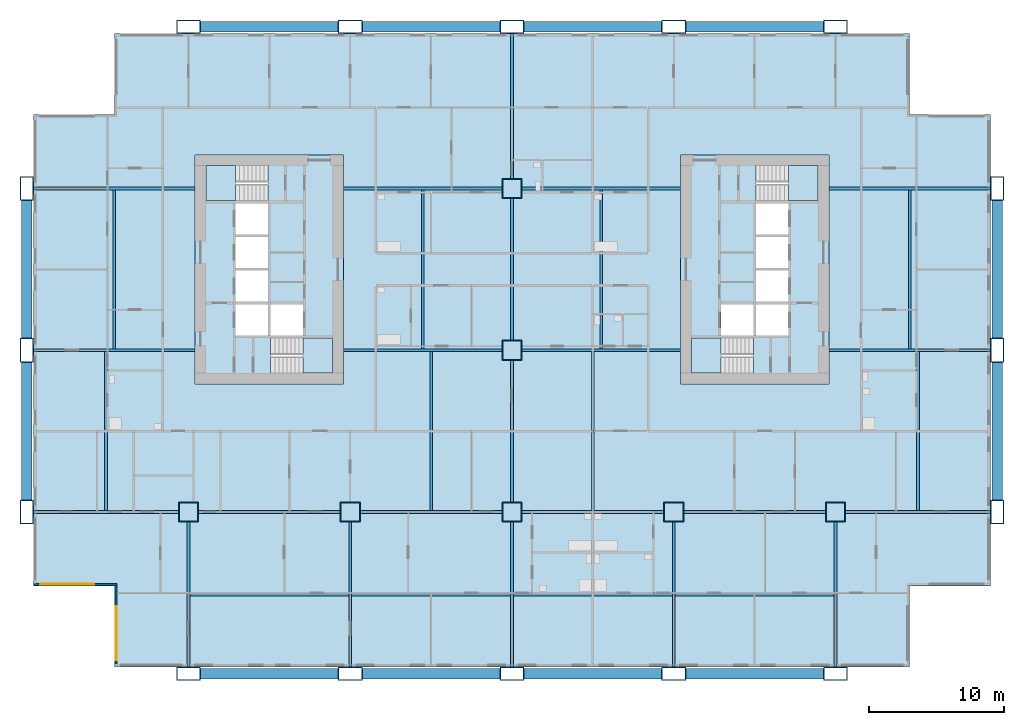
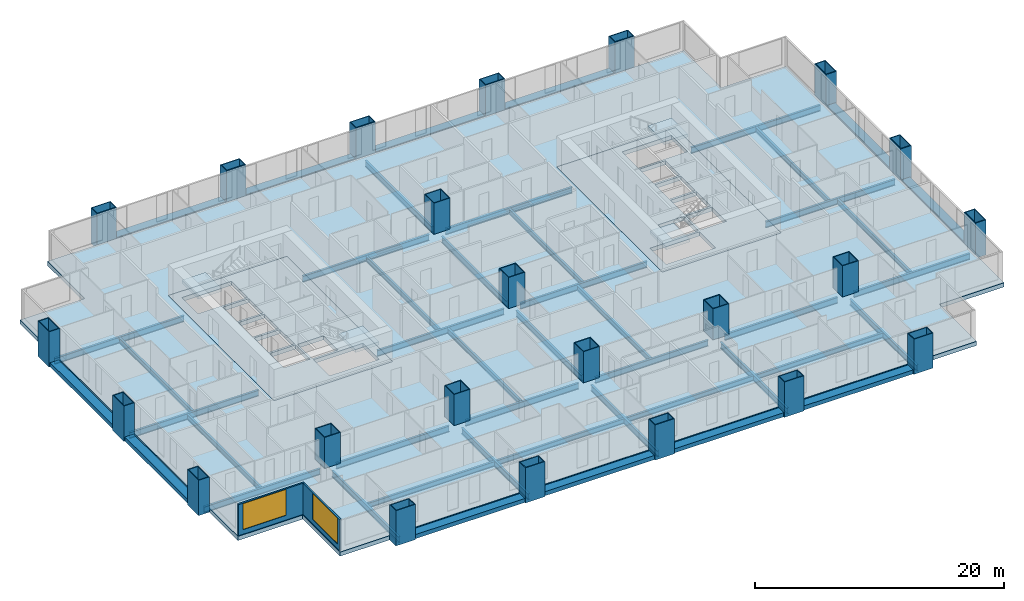
# One storey, part 1 of 14: 46 beams, 23 columns, 7 slabs, 2 walls, 2 windows, 2 openings, 4 elements without a shape of their own.
"""IFC4 building model written with IfcOpenShell, lengths in metres."""

from ifc_helpers import new_model, si_unit, direction, frame, frame_2d, origin, origin_2d, place, context, subcontext, project, spatial, polyline, rectangle, hollow_rectangle, i_section, outline, extrude, material, layer, layer_set, material_profile, profile_set, type_object, element, fill, aggregate, save


model = new_model("IFC4")

# Units and contexts
model_context = context("Model", 3, precision=1e-05, world=origin(), true_north=direction((0.0, 1.0)))
body_context = subcontext(model_context, "Body", "Model", "MODEL_VIEW")
ifc_project = project(units=[si_unit("LENGTHUNIT", "METRE"), si_unit("AREAUNIT", "SQUARE_METRE"), si_unit("VOLUMEUNIT", "CUBIC_METRE"), si_unit("PLANEANGLEUNIT", "RADIAN"), si_unit("MASSUNIT", "GRAM", prefix="KILO")], contexts=[model_context])

# Site, building, storey
site_placement = place(None, origin())
site = spatial("IfcSite", under=ifc_project, at=site_placement, CompositionType="ELEMENT")
building_placement = place(site_placement, origin())
building = spatial("IfcBuilding", under=site, at=building_placement, Name="Kitamizu Gate Tower and Museum", CompositionType="ELEMENT")
storey_placement = place(building_placement, frame((0.0, 0.0, 54.14990234375)))
storey = spatial("IfcBuildingStorey", under=building, at=storey_placement, Name="L12", CompositionType="ELEMENT", Elevation=54.14990234375)

# Columns
ifc_material_1 = material(Name="Steel SM490A bronze coated", Category="steel")
ifc_material_profile_1 = material_profile(ifc_material_1, hollow_rectangle(XDim=1.800048828125, YDim=1.0, WallThickness=0.070068359375, at=origin_2d()), Name="BOX 1800x1000x70")
ifc_profile_set_1 = profile_set([ifc_material_profile_1], Name="Steel SM490A bronze coated")
column_type_1 = type_object("IfcColumnType", Name="Exoskeleton column XC2 BOX 1800x1000x70", PredefinedType="COLUMN", material=ifc_profile_set_1)
for number, where, z_axis, x_axis, name in (
    (1, (0.0, 12.0, -0.39990234375), (0.0, 0.0, 1.0), (0.0, 1.0, 0.0), "Column XC2 1B L12"),
    (2, (0.0, 24.0, -0.39990234375), (0.0, 0.0, 1.0), (0.0, 1.0, 0.0), "Column XC2 1C L12"),
    (3, (0.0, 36.0, -0.39990234375), (0.0, 0.0, 1.0), (0.0, 1.0, 0.0), "Column XC2 1D L12"),
    (4, (12.0, 0.0, -0.39990234375), (0.0, 0.0, 1.0), (1.0, 0.0, 0.0), "Column XC2 2A L12"),
    (5, (12.0, 48.0, -0.39990234375), (0.0, 0.0, 1.0), (1.0, 0.0, 0.0), "Column XC2 2E L12"),
    (6, (24.0, 0.0, -0.39990234375), (0.0, 0.0, 1.0), (1.0, 0.0, 0.0), "Column XC2 3A L12"),
    (7, (24.0, 48.0, -0.39990234375), (0.0, 0.0, 1.0), (1.0, 0.0, 0.0), "Column XC2 3E L12"),
    (8, (36.0, 0.0, -0.39990234375), (0.0, 0.0, 1.0), (1.0, 0.0, 0.0), "Column XC2 4A L12"),
    (9, (36.0, 48.0, -0.39990234375), (0.0, 0.0, 1.0), (1.0, 0.0, 0.0), "Column XC2 4E L12"),
    (10, (48.0, 0.0, -0.39990234375), (0.0, 0.0, 1.0), (1.0, 0.0, 0.0), "Column XC2 5A L12"),
    (11, (48.0, 48.0, -0.39990234375), (0.0, 0.0, 1.0), (1.0, 0.0, 0.0), "Column XC2 5E L12"),
    (12, (60.0, 0.0, -0.39990234375), (0.0, 0.0, 1.0), (1.0, 0.0, 0.0), "Column XC2 6A L12"),
    (13, (60.0, 48.0, -0.39990234375), (0.0, 0.0, 1.0), (1.0, 0.0, 0.0), "Column XC2 6E L12"),
    (14, (72.0, 12.0, -0.39990234375), (0.0, 0.0, 1.0), (0.0, 1.0, 0.0), "Column XC2 7B L12"),
    (15, (72.0, 24.0, -0.39990234375), (0.0, 0.0, 1.0), (0.0, 1.0, 0.0), "Column XC2 7C L12"),
    (16, (72.0, 36.0, -0.39990234375), (0.0, 0.0, 1.0), (0.0, 1.0, 0.0), "Column XC2 7D L12"),
):
    element("IfcColumn", number, at=place(storey_placement, frame(where, z_axis=z_axis, x_axis=x_axis)), inside=storey, type_object=column_type_1, Name=name, PredefinedType="COLUMN", context=body_context, shape_type="SweptSolid", body=[
        extrude(hollow_rectangle(XDim=1.800048828125, YDim=1.0, WallThickness=0.070068359375, at=origin_2d()), origin(), (0.0, 0.0, 1.0), 3.449951171875),
    ])
ifc_material_2 = material(Name="Steel SM490A", Category="steel")
ifc_material_profile_2 = material_profile(ifc_material_2, hollow_rectangle(XDim=1.5, YDim=1.5, WallThickness=0.06494140625, at=origin_2d()), Name="BOX 1500x1500x65")
ifc_profile_set_2 = profile_set([ifc_material_profile_2], Name="Steel SM490A")
column_type_2 = type_object("IfcColumnType", Name="Interior column IC2 BOX 1500x1500x65", PredefinedType="COLUMN", material=ifc_profile_set_2)
for number, where, z_axis, x_axis, name in (
    (17, (12.0, 12.0, 0.0), (0.0, 0.0, 1.0), (1.0, 0.0, 0.0), "Column IC2 2B L12"),
    (18, (24.0, 12.0, 0.0), (0.0, 0.0, 1.0), (1.0, 0.0, 0.0), "Column IC2 3B L12"),
    (19, (36.0, 12.0, 0.0), (0.0, 0.0, 1.0), (1.0, 0.0, 0.0), "Column IC2 4B L12"),
    (20, (36.0, 24.0, 0.0), (0.0, 0.0, 1.0), (1.0, 0.0, 0.0), "Column IC2 4C L12"),
    (21, (36.0, 36.0, 0.0), (0.0, 0.0, 1.0), (1.0, 0.0, 0.0), "Column IC2 4D L12"),
    (22, (48.0, 12.0, 0.0), (0.0, 0.0, 1.0), (1.0, 0.0, 0.0), "Column IC2 5B L12"),
    (23, (60.0, 12.0, 0.0), (0.0, 0.0, 1.0), (1.0, 0.0, 0.0), "Column IC2 6B L12"),
):
    element("IfcColumn", number, at=place(storey_placement, frame(where, z_axis=z_axis, x_axis=x_axis)), inside=storey, type_object=column_type_2, Name=name, PredefinedType="COLUMN", context=body_context, shape_type="SweptSolid", body=[
        extrude(hollow_rectangle(XDim=1.5, YDim=1.5, WallThickness=0.06494140625, at=origin_2d()), origin(), (0.0, 0.0, 1.0), 3.050048828125),
    ])

# Beams
ifc_material_3 = material(Name="Steel SM490A bronze coated", Category="steel")
ifc_material_profile_3 = material_profile(ifc_material_3, hollow_rectangle(XDim=0.800048828125, YDim=0.39990234375, WallThickness=0.0400390625, at=origin_2d()), Name="BOX 800x400x40")
ifc_profile_set_3 = profile_set([ifc_material_profile_3], Name="Steel SM490A bronze coated")
beam_type_1 = type_object("IfcBeamType", Name="Exoskeleton spandrel beam SB1 BOX 800x400x40", PredefinedType="SPANDREL", material=ifc_profile_set_3)
for number, where, z_axis, x_axis, name in (
    (24, (12.89990234375, 0.0, -0.199951171875), (1.0, 0.0, 0.0), (0.0, 1.0, 0.0), "Exoskeleton spandrel beam south 12 L12"),
    (25, (24.89990234375, 0.0, -0.199951171875), (1.0, 0.0, 0.0), (0.0, 1.0, 0.0), "Exoskeleton spandrel beam south 24 L12"),
    (26, (36.89990234375, 0.0, -0.199951171875), (1.0, 0.0, 0.0), (0.0, 1.0, 0.0), "Exoskeleton spandrel beam south 36 L12"),
    (27, (48.89990234375, 0.0, -0.199951171875), (1.0, 0.0, 0.0), (0.0, 1.0, 0.0), "Exoskeleton spandrel beam south 48 L12"),
    (28, (12.89990234375, 48.0, -0.199951171875), (1.0, 0.0, 0.0), (0.0, 1.0, 0.0), "Exoskeleton spandrel beam north 12 L12"),
    (29, (24.89990234375, 48.0, -0.199951171875), (1.0, 0.0, 0.0), (0.0, 1.0, 0.0), "Exoskeleton spandrel beam north 24 L12"),
    (30, (36.89990234375, 48.0, -0.199951171875), (1.0, 0.0, 0.0), (0.0, 1.0, 0.0), "Exoskeleton spandrel beam north 36 L12"),
    (31, (48.89990234375, 48.0, -0.199951171875), (1.0, 0.0, 0.0), (0.0, 1.0, 0.0), "Exoskeleton spandrel beam north 48 L12"),
    (32, (0.0, 12.89990234375, -0.199951171875), (0.0, 1.0, 0.0), (-1.0, 0.0, 0.0), "Exoskeleton spandrel beam west 12 L12"),
    (33, (0.0, 24.89990234375, -0.199951171875), (0.0, 1.0, 0.0), (-1.0, 0.0, 0.0), "Exoskeleton spandrel beam west 24 L12"),
    (34, (72.0, 12.89990234375, -0.199951171875), (0.0, 1.0, 0.0), (-1.0, 0.0, 0.0), "Exoskeleton spandrel beam east 12 L12"),
    (35, (72.0, 24.89990234375, -0.199951171875), (0.0, 1.0, 0.0), (-1.0, 0.0, 0.0), "Exoskeleton spandrel beam east 24 L12"),
):
    element("IfcBeam", number, at=place(storey_placement, frame(where, z_axis=z_axis, x_axis=x_axis)), inside=storey, type_object=beam_type_1, Name=name, PredefinedType="SPANDREL", context=body_context, shape_type="SweptSolid", body=[
        extrude(hollow_rectangle(XDim=0.800048828125, YDim=0.39990234375, WallThickness=0.0400390625, at=origin_2d()), origin(), (0.0, 0.0, 1.0), 10.2001953125),
    ])
ifc_material_4 = material(Name="Steel SM490A", Category="steel")
ifc_material_profile_4 = material_profile(ifc_material_4, i_section(OverallWidth=0.199951171875, OverallDepth=0.5, WebThickness=0.010009765625, FlangeThickness=0.01611328125, FilletRadius=0.02001953125, at=origin_2d()), Name="H-500x200x10x16")
ifc_profile_set_4 = profile_set([ifc_material_profile_4], Name="Steel SM490A")
beam_type_2 = type_object("IfcBeamType", Name="Floor beam FB1 H 500x200x10x16", PredefinedType="BEAM", material=ifc_profile_set_4)
for number, where, z_axis, x_axis, name in (
    (36, (12.10009765625, 5.875, -0.64990234375), (1.0, 0.0, 0.0), (0.0, 1.0, 0.0), "Floor beam FB1 L12-1"),
    (37, (24.10009765625, 5.875, -0.64990234375), (1.0, 0.0, 0.0), (0.0, 1.0, 0.0), "Floor beam FB1 L12-2"),
    (38, (36.10009765625, 5.875, -0.64990234375), (1.0, 0.0, 0.0), (0.0, 1.0, 0.0), "Floor beam FB1 L12-3"),
    (39, (48.10009765625, 5.875, -0.64990234375), (1.0, 0.0, 0.0), (0.0, 1.0, 0.0), "Floor beam FB1 L12-4"),
    (40, (5.875, 12.10009765625, -0.64990234375), (0.0, 1.0, 0.0), (-1.0, 0.0, 0.0), "Floor beam FB1 L12-5"),
    (41, (30.0, 12.10009765625, -0.64990234375), (0.0, 1.0, 0.0), (-1.0, 0.0, 0.0), "Floor beam FB1 L12-6"),
    (42, (42.0, 12.10009765625, -0.64990234375), (0.0, 1.0, 0.0), (-1.0, 0.0, 0.0), "Floor beam FB1 L12-7"),
    (43, (66.125, 12.10009765625, -0.64990234375), (0.0, 1.0, 0.0), (-1.0, 0.0, 0.0), "Floor beam FB1 L12-8"),
    (44, (6.5, 24.10009765625, -0.64990234375), (0.0, 1.0, 0.0), (-1.0, 0.0, 0.0), "Floor beam FB1 L12-9"),
    (45, (29.375, 24.10009765625, -0.64990234375), (0.0, 1.0, 0.0), (-1.0, 0.0, 0.0), "Floor beam FB1 L12-10"),
    (46, (42.625, 24.10009765625, -0.64990234375), (0.0, 1.0, 0.0), (-1.0, 0.0, 0.0), "Floor beam FB1 L12-11"),
    (47, (65.5, 24.10009765625, -0.64990234375), (0.0, 1.0, 0.0), (-1.0, 0.0, 0.0), "Floor beam FB1 L12-12"),
):
    element("IfcBeam", number, at=place(storey_placement, frame(where, z_axis=z_axis, x_axis=x_axis)), inside=storey, type_object=beam_type_2, Name=name, PredefinedType="BEAM", context=body_context, shape_type="SweptSolid", body=[
        extrude(i_section(OverallWidth=0.199951171875, OverallDepth=0.5, WebThickness=0.010009765625, FlangeThickness=0.01611328125, FilletRadius=0.02001953125, at=origin_2d()), origin(), (0.0, 0.0, 1.0), 11.7998046875),
    ])
ifc_material_5 = material(Name="Steel SM490A", Category="steel")
ifc_material_profile_5 = material_profile(ifc_material_5, i_section(OverallWidth=0.199951171875, OverallDepth=0.60009765625, WebThickness=0.010986328125, FlangeThickness=0.01708984375, FilletRadius=0.02197265625, at=origin_2d()), Name="H-600x200x11x17")
ifc_profile_set_5 = profile_set([ifc_material_profile_5], Name="Steel SM490A")
beam_type_3 = type_object("IfcBeamType", Name="Floor girder FG1 H 600x200x11x17", PredefinedType="BEAM", material=ifc_profile_set_5)
for number, where, z_axis, x_axis, name in (
    (48, (12.0, 0.5, -0.699951171875), (0.0, 1.0, 0.0), (-1.0, 0.0, 0.0), "Floor girder FG1 x12 L12"),
    (49, (24.0, 0.5, -0.699951171875), (0.0, 1.0, 0.0), (-1.0, 0.0, 0.0), "Floor girder FG1 x24 L12"),
    (50, (36.0, 0.5, -0.699951171875), (0.0, 1.0, 0.0), (-1.0, 0.0, 0.0), "Floor girder FG1 x36 L12"),
):
    element("IfcBeam", number, at=place(storey_placement, frame(where, z_axis=z_axis, x_axis=x_axis)), inside=storey, type_object=beam_type_3, Name=name, PredefinedType="BEAM", context=body_context, shape_type="SweptSolid", body=[
        extrude(i_section(OverallWidth=0.199951171875, OverallDepth=0.60009765625, WebThickness=0.010986328125, FlangeThickness=0.01708984375, FilletRadius=0.02197265625, at=origin_2d()), origin(), (0.0, 0.0, 1.0), 10.75),
    ])
for number, where, z_axis, x_axis, name in (
    (51, (36.0, 12.75, -0.699951171875), (0.0, 1.0, 0.0), (-1.0, 0.0, 0.0), "Floor girder FG1 x36 L12"),
    (52, (36.0, 24.75, -0.699951171875), (0.0, 1.0, 0.0), (-1.0, 0.0, 0.0), "Floor girder FG1 x36 L12"),
):
    element("IfcBeam", number, at=place(storey_placement, frame(where, z_axis=z_axis, x_axis=x_axis)), inside=storey, type_object=beam_type_3, Name=name, PredefinedType="BEAM", context=body_context, shape_type="SweptSolid", body=[
        extrude(i_section(OverallWidth=0.199951171875, OverallDepth=0.60009765625, WebThickness=0.010986328125, FlangeThickness=0.01708984375, FilletRadius=0.02197265625, at=origin_2d()), origin(), (0.0, 0.0, 1.0), 10.5),
    ])
for number, where, z_axis, x_axis, name in (
    (53, (36.0, 36.75, -0.699951171875), (0.0, 1.0, 0.0), (-1.0, 0.0, 0.0), "Floor girder FG1 x36 L12"),
    (54, (48.0, 0.5, -0.699951171875), (0.0, 1.0, 0.0), (-1.0, 0.0, 0.0), "Floor girder FG1 x48 L12"),
    (55, (60.0, 0.5, -0.699951171875), (0.0, 1.0, 0.0), (-1.0, 0.0, 0.0), "Floor girder FG1 x60 L12"),
    (56, (0.5, 12.0, -0.699951171875), (1.0, 0.0, 0.0), (0.0, 1.0, 0.0), "Floor girder FG1 y12 L12"),
):
    element("IfcBeam", number, at=place(storey_placement, frame(where, z_axis=z_axis, x_axis=x_axis)), inside=storey, type_object=beam_type_3, Name=name, PredefinedType="BEAM", context=body_context, shape_type="SweptSolid", body=[
        extrude(i_section(OverallWidth=0.199951171875, OverallDepth=0.60009765625, WebThickness=0.010986328125, FlangeThickness=0.01708984375, FilletRadius=0.02197265625, at=origin_2d()), origin(), (0.0, 0.0, 1.0), 10.75),
    ])
for number, where, z_axis, x_axis, name in (
    (57, (12.75, 12.0, -0.699951171875), (1.0, 0.0, 0.0), (0.0, 1.0, 0.0), "Floor girder FG1 y12 L12"),
    (58, (24.75, 12.0, -0.699951171875), (1.0, 0.0, 0.0), (0.0, 1.0, 0.0), "Floor girder FG1 y12 L12"),
    (59, (36.75, 12.0, -0.699951171875), (1.0, 0.0, 0.0), (0.0, 1.0, 0.0), "Floor girder FG1 y12 L12"),
    (60, (48.75, 12.0, -0.699951171875), (1.0, 0.0, 0.0), (0.0, 1.0, 0.0), "Floor girder FG1 y12 L12"),
):
    element("IfcBeam", number, at=place(storey_placement, frame(where, z_axis=z_axis, x_axis=x_axis)), inside=storey, type_object=beam_type_3, Name=name, PredefinedType="BEAM", context=body_context, shape_type="SweptSolid", body=[
        extrude(i_section(OverallWidth=0.199951171875, OverallDepth=0.60009765625, WebThickness=0.010986328125, FlangeThickness=0.01708984375, FilletRadius=0.02197265625, at=origin_2d()), origin(), (0.0, 0.0, 1.0), 10.5),
    ])
beam_1_placement = place(storey_placement, frame((60.75, 12.0, -0.699951171875), z_axis=(1.0, 0.0, 0.0), x_axis=(0.0, 1.0, 0.0)))
element("IfcBeam", 61, at=beam_1_placement, inside=storey, type_object=beam_type_3, Name="Floor girder FG1 y12 L12", PredefinedType="BEAM", context=body_context, shape_type="SweptSolid", body=[
    extrude(i_section(OverallWidth=0.199951171875, OverallDepth=0.60009765625, WebThickness=0.010986328125, FlangeThickness=0.01708984375, FilletRadius=0.02197265625, at=origin_2d()), origin(), (0.0, 0.0, 1.0), 10.75),
])
beam_2_placement = place(storey_placement, frame((0.5, 24.0, -0.699951171875), z_axis=(1.0, 0.0, 0.0), x_axis=(0.0, 1.0, 0.0)))
element("IfcBeam", 62, at=beam_2_placement, inside=storey, type_object=beam_type_3, Name="Floor girder FG1 y24 L12", PredefinedType="BEAM", context=body_context, shape_type="SweptSolid", body=[
    extrude(i_section(OverallWidth=0.199951171875, OverallDepth=0.60009765625, WebThickness=0.010986328125, FlangeThickness=0.01708984375, FilletRadius=0.02197265625, at=origin_2d()), origin(), (0.0, 0.0, 1.0), 12.0),
])
for number, where, z_axis, x_axis, name in (
    (63, (23.5, 24.0, -0.699951171875), (1.0, 0.0, 0.0), (0.0, 1.0, 0.0), "Floor girder FG1 y24 L12"),
    (64, (36.75, 24.0, -0.699951171875), (1.0, 0.0, 0.0), (0.0, 1.0, 0.0), "Floor girder FG1 y24 L12"),
):
    element("IfcBeam", number, at=place(storey_placement, frame(where, z_axis=z_axis, x_axis=x_axis)), inside=storey, type_object=beam_type_3, Name=name, PredefinedType="BEAM", context=body_context, shape_type="SweptSolid", body=[
        extrude(i_section(OverallWidth=0.199951171875, OverallDepth=0.60009765625, WebThickness=0.010986328125, FlangeThickness=0.01708984375, FilletRadius=0.02197265625, at=origin_2d()), origin(), (0.0, 0.0, 1.0), 11.75),
    ])
for number, where, z_axis, x_axis, name in (
    (65, (59.5, 24.0, -0.699951171875), (1.0, 0.0, 0.0), (0.0, 1.0, 0.0), "Floor girder FG1 y24 L12"),
    (66, (0.5, 36.0, -0.699951171875), (1.0, 0.0, 0.0), (0.0, 1.0, 0.0), "Floor girder FG1 y36 L12"),
):
    element("IfcBeam", number, at=place(storey_placement, frame(where, z_axis=z_axis, x_axis=x_axis)), inside=storey, type_object=beam_type_3, Name=name, PredefinedType="BEAM", context=body_context, shape_type="SweptSolid", body=[
        extrude(i_section(OverallWidth=0.199951171875, OverallDepth=0.60009765625, WebThickness=0.010986328125, FlangeThickness=0.01708984375, FilletRadius=0.02197265625, at=origin_2d()), origin(), (0.0, 0.0, 1.0), 12.0),
    ])
for number, where, z_axis, x_axis, name in (
    (67, (23.5, 36.0, -0.699951171875), (1.0, 0.0, 0.0), (0.0, 1.0, 0.0), "Floor girder FG1 y36 L12"),
    (68, (36.75, 36.0, -0.699951171875), (1.0, 0.0, 0.0), (0.0, 1.0, 0.0), "Floor girder FG1 y36 L12"),
):
    element("IfcBeam", number, at=place(storey_placement, frame(where, z_axis=z_axis, x_axis=x_axis)), inside=storey, type_object=beam_type_3, Name=name, PredefinedType="BEAM", context=body_context, shape_type="SweptSolid", body=[
        extrude(i_section(OverallWidth=0.199951171875, OverallDepth=0.60009765625, WebThickness=0.010986328125, FlangeThickness=0.01708984375, FilletRadius=0.02197265625, at=origin_2d()), origin(), (0.0, 0.0, 1.0), 11.75),
    ])
beam_3_placement = place(storey_placement, frame((59.5, 36.0, -0.699951171875), z_axis=(1.0, 0.0, 0.0), x_axis=(0.0, 1.0, 0.0)))
element("IfcBeam", 69, at=beam_3_placement, inside=storey, type_object=beam_type_3, Name="Floor girder FG1 y36 L12", PredefinedType="BEAM", context=body_context, shape_type="SweptSolid", body=[
    extrude(i_section(OverallWidth=0.199951171875, OverallDepth=0.60009765625, WebThickness=0.010986328125, FlangeThickness=0.01708984375, FilletRadius=0.02197265625, at=origin_2d()), origin(), (0.0, 0.0, 1.0), 12.0),
])

# Slabs
ifc_material_6 = material(Name="Concrete Fc36", Category="concrete")
ifc_layer_1 = layer(ifc_material_6, 0.39990234375)
ifc_layer_set_1 = layer_set([ifc_layer_1], Name="Concrete Fc36")
slab_type_1 = type_object("IfcSlabType", Name="Core floor slab 400", PredefinedType="FLOOR", material=ifc_layer_set_1)
slab_1_placement = place(storey_placement, frame((0.0, 0.0, -0.39990234375)))
element("IfcSlab", 70, at=slab_1_placement, inside=storey, type_object=slab_type_1, Name="Core floor slab W", PredefinedType="FLOOR", context=body_context, shape_type="SweptSolid", body=[
    extrude(outline(polyline([(12.5, 21.5), (23.5, 21.5), (23.5, 38.5), (12.5, 38.5), (12.5, 21.5)]), holes=[polyline([(15.5, 25.10009765625), (17.89990234375, 25.10009765625), (17.89990234375, 27.39990234375), (15.5, 27.39990234375), (15.5, 25.10009765625)]), polyline([(15.5, 27.60009765625), (17.89990234375, 27.60009765625), (17.89990234375, 29.89990234375), (15.5, 29.89990234375), (15.5, 27.60009765625)]), polyline([(15.5, 30.10009765625), (17.89990234375, 30.10009765625), (17.89990234375, 32.39990234375), (15.5, 32.39990234375), (15.5, 30.10009765625)]), polyline([(15.5, 32.60009765625), (17.89990234375, 32.60009765625), (17.89990234375, 34.89990234375), (15.5, 34.89990234375), (15.5, 32.60009765625)]), polyline([(18.10009765625, 25.10009765625), (20.5, 25.10009765625), (20.5, 27.39990234375), (18.10009765625, 27.39990234375), (18.10009765625, 25.10009765625)]), polyline([(18.1005859375, 22.300048828125), (22.699951171875, 22.300048828125), (22.699951171875, 24.89990234375), (18.1005859375, 24.89990234375), (18.1005859375, 22.300048828125)]), polyline([(13.300048828125, 35.10009765625), (17.8994140625, 35.10009765625), (17.8994140625, 37.699951171875), (13.300048828125, 37.699951171875), (13.300048828125, 35.10009765625)])]), origin(), (0.0, 0.0, 1.0), 0.39990234375),
])
slab_2_placement = place(storey_placement, frame((0.0, 0.0, -0.39990234375)))
element("IfcSlab", 71, at=slab_2_placement, inside=storey, type_object=slab_type_1, Name="Core floor slab E", PredefinedType="FLOOR", context=body_context, shape_type="SweptSolid", body=[
    extrude(outline(polyline([(48.5, 21.5), (59.5, 21.5), (59.5, 38.5), (48.5, 38.5), (48.5, 21.5)]), holes=[polyline([(54.10009765625, 25.10009765625), (56.5, 25.10009765625), (56.5, 27.39990234375), (54.10009765625, 27.39990234375), (54.10009765625, 25.10009765625)]), polyline([(54.10009765625, 27.60009765625), (56.5, 27.60009765625), (56.5, 29.89990234375), (54.10009765625, 29.89990234375), (54.10009765625, 27.60009765625)]), polyline([(54.10009765625, 30.10009765625), (56.5, 30.10009765625), (56.5, 32.39990234375), (54.10009765625, 32.39990234375), (54.10009765625, 30.10009765625)]), polyline([(54.10009765625, 32.60009765625), (56.5, 32.60009765625), (56.5, 34.89990234375), (54.10009765625, 34.89990234375), (54.10009765625, 32.60009765625)]), polyline([(51.5, 25.10009765625), (53.89990234375, 25.10009765625), (53.89990234375, 27.39990234375), (51.5, 27.39990234375), (51.5, 25.10009765625)]), polyline([(49.300048828125, 22.300048828125), (53.8994140625, 22.300048828125), (53.8994140625, 24.89990234375), (49.300048828125, 24.89990234375), (49.300048828125, 22.300048828125)]), polyline([(54.1005859375, 35.10009765625), (58.699951171875, 35.10009765625), (58.699951171875, 37.699951171875), (54.1005859375, 37.699951171875), (54.1005859375, 35.10009765625)])]), origin(), (0.0, 0.0, 1.0), 0.39990234375),
])
ifc_material_7 = material(Name="Concrete Fc36", Category="concrete")
ifc_layer_2 = layer(ifc_material_7, 0.39990234375)
ifc_layer_set_2 = layer_set([ifc_layer_2], Name="Concrete Fc36")
slab_type_2 = type_object("IfcSlabType", Name="Post tensioned flat slab 400", PredefinedType="FLOOR", material=ifc_layer_set_2)
slab_3_placement = place(storey_placement, frame((0.0, 0.0, -0.39990234375)))
element("IfcSlab", 72, at=slab_3_placement, inside=storey, type_object=slab_type_2, Name="Floor slab L12-1", PredefinedType="FLOOR", context=body_context, shape_type="SweptSolid", body=[
    extrude(outline(polyline([(0.5, 6.5), (0.5, 41.5), (6.5, 41.5), (6.5, 47.5), (65.5, 47.5), (65.5, 41.5), (71.5, 41.5), (71.5, 6.5), (65.5, 6.5), (65.5, 0.5), (6.5, 0.5), (6.5, 6.5), (0.5, 6.5)]), holes=[polyline([(59.5, 38.5), (48.5, 38.5), (48.5, 21.5), (59.5, 21.5), (59.5, 38.5)]), polyline([(12.5, 38.5), (12.5, 21.5), (23.5, 21.5), (23.5, 38.5), (12.5, 38.5)])]), origin(), (0.0, 0.0, 1.0), 0.39990234375),
])

# Stair, slab
ifc_material_8 = material(Name="Concrete Fc42", Category="concrete")
stair_type = type_object("IfcStairType", Name="Exit stair 1200 wide 192 rise 300 going", PredefinedType="HALF_TURN_STAIR", material=ifc_material_8)
stair_1_placement = place(storey_placement, origin())
stair_1 = element("IfcStair", 73, at=stair_1_placement, inside=storey, type_object=stair_type, Name="Exit stair ST1", PredefinedType="HALF_TURN_STAIR")
ifc_material_9 = material(Name="Concrete Fc42", Category="concrete")
ifc_layer_3 = layer(ifc_material_9, 0.300048828125)
ifc_layer_set_3 = layer_set([ifc_layer_3], Name="Concrete Fc42")
slab_type_3 = type_object("IfcSlabType", Name="Stair landing 300", PredefinedType="LANDING", material=ifc_layer_set_3)
slab_4_placement = place(storey_placement, frame((0.0, 0.0, 1.425048828125)))
slab_4 = element("IfcSlab", 74, at=slab_4_placement, type_object=slab_type_3, Name="ST1 landing 1", PredefinedType="LANDING", context=body_context, shape_type="SweptSolid", body=[
    extrude(outline(polyline([(20.5, 22.300048828125), (22.699951171875, 22.300048828125), (22.699951171875, 24.89990234375), (20.5, 24.89990234375), (20.5, 22.300048828125)])), origin(), (0.0, 0.0, 1.0), 0.300048828125),
])
aggregate(stair_1, [slab_4])

stair_2_placement = place(storey_placement, origin())
stair_2 = element("IfcStair", 75, at=stair_2_placement, inside=storey, type_object=stair_type, Name="Exit stair ST2", PredefinedType="HALF_TURN_STAIR")
slab_5_placement = place(storey_placement, frame((0.0, 0.0, 1.425048828125)))
slab_5 = element("IfcSlab", 76, at=slab_5_placement, type_object=slab_type_3, Name="ST2 landing 1", PredefinedType="LANDING", context=body_context, shape_type="SweptSolid", body=[
    extrude(outline(polyline([(13.300048828125, 35.10009765625), (15.5, 35.10009765625), (15.5, 37.699951171875), (13.300048828125, 37.699951171875), (13.300048828125, 35.10009765625)])), origin(), (0.0, 0.0, 1.0), 0.300048828125),
])
aggregate(stair_2, [slab_5])

stair_3_placement = place(storey_placement, origin())
stair_3 = element("IfcStair", 77, at=stair_3_placement, inside=storey, type_object=stair_type, Name="Exit stair ST3", PredefinedType="HALF_TURN_STAIR")
slab_6_placement = place(storey_placement, frame((0.0, 0.0, 1.425048828125)))
slab_6 = element("IfcSlab", 78, at=slab_6_placement, type_object=slab_type_3, Name="ST3 landing 1", PredefinedType="LANDING", context=body_context, shape_type="SweptSolid", body=[
    extrude(outline(polyline([(49.300048828125, 22.300048828125), (51.5, 22.300048828125), (51.5, 24.89990234375), (49.300048828125, 24.89990234375), (49.300048828125, 22.300048828125)])), origin(), (0.0, 0.0, 1.0), 0.300048828125),
])
aggregate(stair_3, [slab_6])

stair_4_placement = place(storey_placement, origin())
stair_4 = element("IfcStair", 79, at=stair_4_placement, inside=storey, type_object=stair_type, Name="Exit stair ST4", PredefinedType="HALF_TURN_STAIR")
slab_7_placement = place(storey_placement, frame((0.0, 0.0, 1.425048828125)))
slab_7 = element("IfcSlab", 80, at=slab_7_placement, type_object=slab_type_3, Name="ST4 landing 1", PredefinedType="LANDING", context=body_context, shape_type="SweptSolid", body=[
    extrude(outline(polyline([(56.5, 35.10009765625), (58.699951171875, 35.10009765625), (58.699951171875, 37.699951171875), (56.5, 37.699951171875), (56.5, 35.10009765625)])), origin(), (0.0, 0.0, 1.0), 0.300048828125),
])
aggregate(stair_4, [slab_7])

# Wall, opening, window
ifc_material_10 = material(Name="Bronze anodised aluminium frame with insulated spandrel and tinted glass", Category="aluminium")
ifc_layer_4 = layer(ifc_material_10, 0.14990234375)
ifc_layer_set_4 = layer_set([ifc_layer_4], Name="Bronze anodised aluminium frame with insulated spandrel and tinted glass")
wall_type = type_object("IfcWallType", Name="WINDOW WALL 150 BRONZE FRAME EI 30", PredefinedType="ELEMENTEDWALL", material=ifc_layer_set_4)
wall_1_placement = place(storey_placement, frame((0.56005859375, 6.635009765625, 0.0), z_axis=(0.0, 0.0, 1.0), x_axis=(1.0, 0.0, 0.0)))
wall_1 = element("IfcWall", 81, at=wall_1_placement, inside=storey, type_object=wall_type, Name="Window wall south L12", PredefinedType="ELEMENTEDWALL", context=body_context, shape_type="SweptSolid", body=[
    extrude(rectangle(XDim=6.14990234375, YDim=0.14990234375, at=frame_2d((3.074951171875, 0.0))), origin(), (0.0, 0.0, 1.0), 3.050048828125),
])
opening_1_placement = place(wall_1_placement, frame((0.43994140625, 0.0, 0.449951171875)))
opening_1 = element("IfcOpeningElement", 82, at=opening_1_placement, cuts=wall_1, Name="Opening W16", PredefinedType="OPENING", context=body_context, shape_type="SweptSolid", body=[
    extrude(rectangle(XDim=4.0, YDim=2.550048828125, at=frame_2d((2.0, 1.27490234375))), frame((0.0, 0.0849609375, 0.0), z_axis=(0.0, -1.0, 0.0), x_axis=(1.0, 0.0, 0.0)), (0.0, 0.0, 1.0), 0.169921875),
])
ifc_material_11 = material(Name="Bronze anodised aluminium frame, tinted triple glazing", Category="aluminium")
window_type = type_object("IfcWindowType", Name="WINDOW 4000 x 2550 SILL 450", PartitioningType="SINGLE_PANEL", PredefinedType="WINDOW", material=ifc_material_11)
window_1_placement = place(opening_1_placement, origin())
window_1 = element("IfcWindow", 83, at=window_1_placement, inside=storey, type_object=window_type, Name="Window W16 L12", OverallHeight=2.550048828125, OverallWidth=4.0, PartitioningType="SINGLE_PANEL", PredefinedType="WINDOW", context=body_context, shape_type="SweptSolid", body=[
    extrude(rectangle(XDim=4.0, YDim=2.550048828125, at=frame_2d((2.0, 1.27490234375))), frame((0.0, 0.030029296875, 0.0), z_axis=(0.0, -1.0, 0.0), x_axis=(1.0, 0.0, 0.0)), (0.0, 0.0, 1.0), 0.06005859375),
])
fill(opening_1, window_1)

wall_2_placement = place(storey_placement, frame((6.635009765625, 0.7099609375, 0.0), z_axis=(0.0, 0.0, 1.0), x_axis=(0.0, 1.0, 0.0)))
wall_2 = element("IfcWall", 84, at=wall_2_placement, inside=storey, type_object=wall_type, Name="Window wall west L12", PredefinedType="ELEMENTEDWALL", context=body_context, shape_type="SweptSolid", body=[
    extrude(rectangle(XDim=5.85009765625, YDim=0.14990234375, at=frame_2d((2.925048828125, 0.0))), origin(), (0.0, 0.0, 1.0), 3.050048828125),
])
opening_2_placement = place(wall_2_placement, frame((0.2900390625, 0.0, 0.449951171875)))
opening_2 = element("IfcOpeningElement", 85, at=opening_2_placement, cuts=wall_2, Name="Opening W16", PredefinedType="OPENING", context=body_context, shape_type="SweptSolid", body=[
    extrude(rectangle(XDim=4.0, YDim=2.550048828125, at=frame_2d((2.0, 1.27490234375))), frame((0.0, 0.0849609375, 0.0), z_axis=(0.0, -1.0, 0.0), x_axis=(1.0, 0.0, 0.0)), (0.0, 0.0, 1.0), 0.169921875),
])
window_2_placement = place(opening_2_placement, origin())
window_2 = element("IfcWindow", 86, at=window_2_placement, inside=storey, type_object=window_type, Name="Window W16 L12", OverallHeight=2.550048828125, OverallWidth=4.0, PartitioningType="SINGLE_PANEL", PredefinedType="WINDOW", context=body_context, shape_type="SweptSolid", body=[
    extrude(rectangle(XDim=4.0, YDim=2.550048828125, at=frame_2d((2.0, 1.27490234375))), frame((0.0, 0.030029296875, 0.0), z_axis=(0.0, -1.0, 0.0), x_axis=(1.0, 0.0, 0.0)), (0.0, 0.0, 1.0), 0.06005859375),
])
fill(opening_2, window_2)

save(model, "model.ifc")
